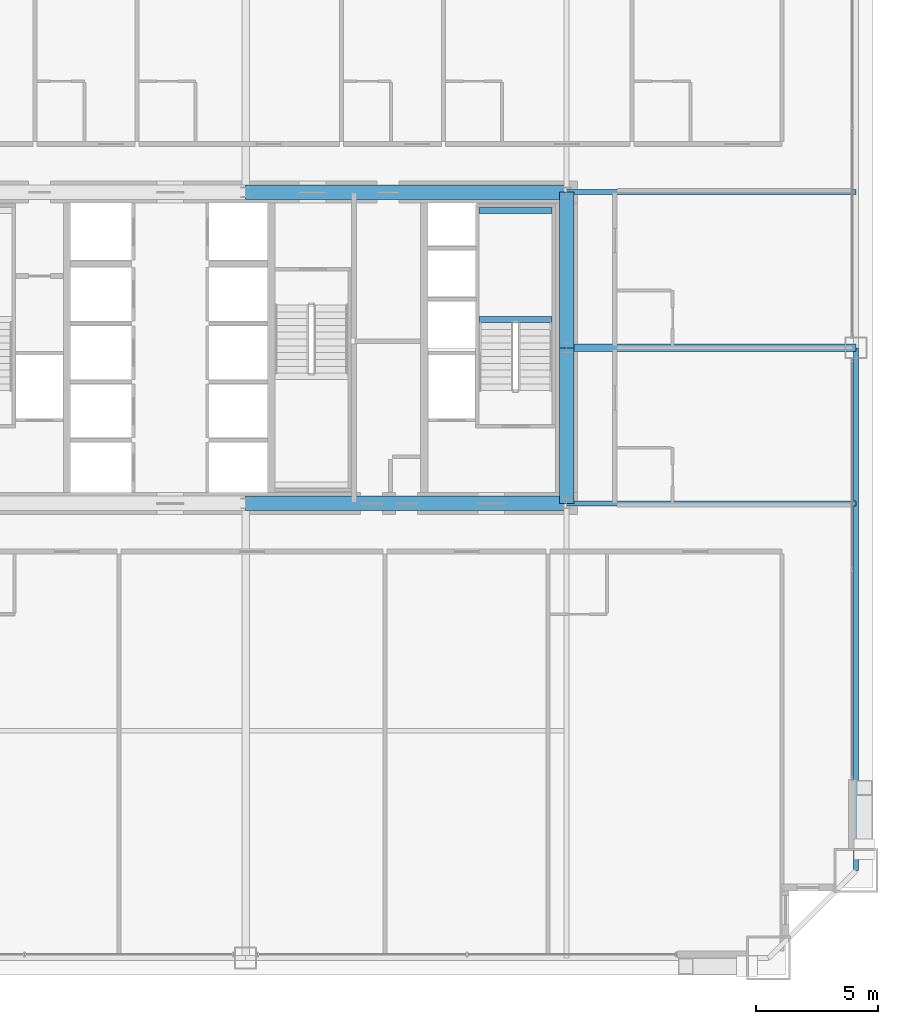
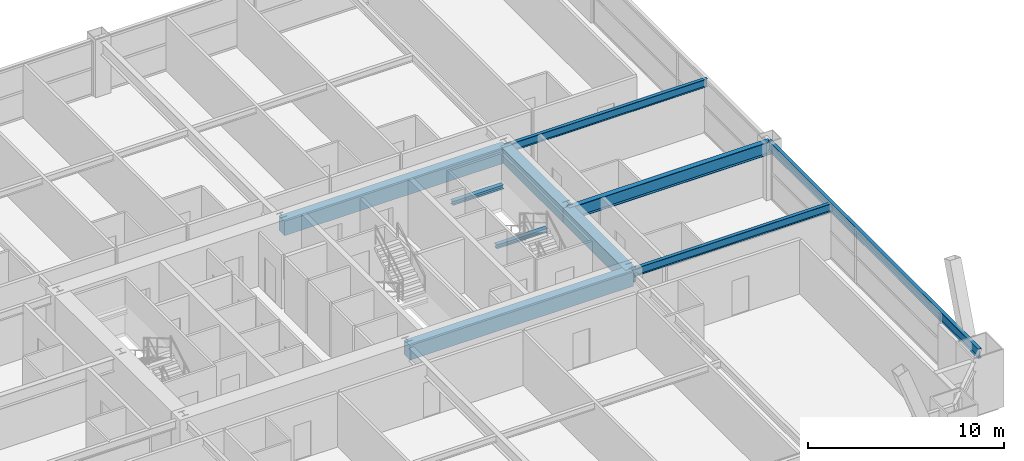
# One storey, part 18 of 43: 10 beams.
"""IFC4 building model written with IfcOpenShell, lengths in metres."""

import ifcopenshell
import ifcopenshell.guid

model = None  # the IFC model being written
_history = None  # IfcOwnerHistory: only IFC2X3 demands one
_inside = {}  # id of a spatial element -> (the spatial element, [elements in it])
_under = {}  # id of a project, library or spatial element -> (it, [spatial elements below it])
_declared = {}  # id of a project -> (the project, [libraries it declares])
_typed = {}  # id of a type object -> (the type object, [elements of that type])
_made_of = {}  # id of a material, layer set ... -> (it, [elements and type objects made of it])


def new_model(schema):
    """Start an empty IFC model of exactly this schema.

    Asked for "IFC4X3", IfcOpenShell would pick the latest addendum, in which some entities
    have other attributes; the version numbers below select the first issue.
    IFC2X3 requires an IfcOwnerHistory on every rooted entity: one is made here for all.
    """
    global model, _history
    if schema == "IFC4X3":
        model = ifcopenshell.file(schema_version=(4, 3, 0, 0))
    else:
        model = ifcopenshell.file(schema=schema)
    _inside.clear()
    _under.clear()
    _declared.clear()
    _typed.clear()
    _made_of.clear()
    _history = None
    if model.schema == "IFC2X3":
        org = make("IfcOrganization", Name="unknown")
        user = make(
            "IfcPersonAndOrganization",
            ThePerson=make("IfcPerson", FamilyName="unknown"),
            TheOrganization=org,
        )
        app = make(
            "IfcApplication",
            ApplicationDeveloper=org,
            Version="unknown",
            ApplicationFullName="unknown",
            ApplicationIdentifier="unknown",
        )
        _history = make(
            "IfcOwnerHistory",
            OwningUser=user,
            OwningApplication=app,
            ChangeAction="ADDED",
            CreationDate=0,
        )
    return model


def make(cls, **values):
    """One entity of the class cls with the attributes given. An attribute that is None is left unset."""
    return model.create_entity(
        cls, **{name: value for name, value in values.items() if value is not None}
    )


def rooted(cls, **values):
    """An entity with a GlobalId (a new one), such as an element, a storey or a relation."""
    return make(cls, GlobalId=ifcopenshell.guid.new(), OwnerHistory=_history, **values)


def si_unit(unit_type, name, prefix=None):
    """IfcSIUnit, for example si_unit("LENGTHUNIT", "METRE", prefix="MILLI")."""
    return make("IfcSIUnit", UnitType=unit_type, Prefix=prefix, Name=name)


def assignment(units):
    """IfcUnitAssignment: the units of a project."""
    return None if units is None else make("IfcUnitAssignment", Units=units)


def point(xyz):
    """IfcCartesianPoint."""
    return None if xyz is None else make("IfcCartesianPoint", Coordinates=xyz)


def direction(xyz):
    """IfcDirection."""
    return None if xyz is None else make("IfcDirection", DirectionRatios=xyz)


def frame(location, z_axis=None, x_axis=None):
    """IfcAxis2Placement3D, a coordinate frame: its origin and axes. An axis left out is left unset."""
    return make(
        "IfcAxis2Placement3D",
        Location=point(location),
        Axis=direction(z_axis),
        RefDirection=direction(x_axis),
    )


def frame_2d(location, x_axis=None):
    """IfcAxis2Placement2D, a coordinate frame in the plane: its origin and x axis."""
    return make(
        "IfcAxis2Placement2D", Location=point(location), RefDirection=direction(x_axis)
    )


def origin():
    """The frame at (0, 0, 0) with its axes left unset."""
    return frame((0.0, 0.0, 0.0))


def origin_2d():
    """The frame at (0, 0) in the plane with its x axis left unset."""
    return frame_2d((0.0, 0.0))


def place(relative_to, where):
    """IfcLocalPlacement: puts the frame where relative to a parent placement (None: the world)."""
    return make(
        "IfcLocalPlacement", PlacementRelTo=relative_to, RelativePlacement=where
    )


def context(
    kind, dimensions, precision=None, world=None, true_north=None, identifier=None
):
    """IfcGeometricRepresentationContext, for example the 3D "Model" context."""
    return make(
        "IfcGeometricRepresentationContext",
        ContextIdentifier=identifier,
        ContextType=kind,
        CoordinateSpaceDimension=dimensions,
        Precision=precision,
        WorldCoordinateSystem=world,
        TrueNorth=true_north,
    )


def subcontext(parent, identifier, kind, view, scale=None):
    """IfcGeometricRepresentationSubContext, for example "Body" below "Model"."""
    return make(
        "IfcGeometricRepresentationSubContext",
        ContextIdentifier=identifier,
        ContextType=kind,
        ParentContext=parent,
        TargetScale=scale,
        TargetView=view,
    )


def project(units=None, contexts=None):
    """IfcProject with its units and contexts."""
    return rooted(
        "IfcProject",
        Name="project",
        RepresentationContexts=contexts,
        UnitsInContext=assignment(units),
    )


def spatial(cls, under=None, at=None, **own):
    """A site, building, storey or space (cls), placed at a placement, below another one or the project."""
    s = rooted(cls, ObjectPlacement=at, **own)
    if under is not None:
        _under.setdefault(under.id(), (under, []))[1].append(s)
    return s


def profile(cls, at=None, kind="AREA", **sizes):
    """A parametric profile (cls). Its sizes go by their IFC names, for example OverallWidth=200.0."""
    return make(cls, ProfileType=kind, Position=at, **sizes)


def rectangle(**sizes):
    """IfcRectangleProfileDef."""
    return profile("IfcRectangleProfileDef", **sizes)


def i_section(**sizes):
    """IfcIShapeProfileDef."""
    return profile("IfcIShapeProfileDef", **sizes)


def extrude(swept, where, along, depth):
    """IfcExtrudedAreaSolid: the profile swept, set in the frame where, extruded along a direction by depth."""
    return make(
        "IfcExtrudedAreaSolid",
        SweptArea=swept,
        Position=where,
        ExtrudedDirection=direction(along),
        Depth=depth,
    )


def shape(context_of_items, identifier, shape_type, items):
    """IfcShapeRepresentation: the items that make up one representation, for example the "Body"."""
    return make(
        "IfcShapeRepresentation",
        ContextOfItems=context_of_items,
        RepresentationIdentifier=identifier,
        RepresentationType=shape_type,
        Items=items,
    )


def source(mapping_origin, context_of_items, identifier, shape_type, items):
    """IfcRepresentationMap: a shape defined once, which mapped items show again and again."""
    return make(
        "IfcRepresentationMap",
        MappingOrigin=mapping_origin,
        MappedRepresentation=shape(context_of_items, identifier, shape_type, items),
    )


def transform(
    local_origin,
    x_axis=None,
    y_axis=None,
    z_axis=None,
    scale=None,
    scale2=None,
    scale3=None,
    uniform=True,
):
    """IfcCartesianTransformationOperator3D, or its non-uniform kind. x_axis, y_axis, z_axis: its Axis1, 2, 3."""
    if uniform:
        return make(
            "IfcCartesianTransformationOperator3D",
            Axis1=direction(x_axis),
            Axis2=direction(y_axis),
            LocalOrigin=point(local_origin),
            Scale=scale,
            Axis3=direction(z_axis),
        )
    return make(
        "IfcCartesianTransformationOperator3DnonUniform",
        Axis1=direction(x_axis),
        Axis2=direction(y_axis),
        LocalOrigin=point(local_origin),
        Scale=scale,
        Axis3=direction(z_axis),
        Scale2=scale2,
        Scale3=scale3,
    )


def mapped(mapping_source, mapping_target):
    """IfcMappedItem: shows the shape of a source again, moved by a transform."""
    return make(
        "IfcMappedItem", MappingSource=mapping_source, MappingTarget=mapping_target
    )


def material(Name=None, Category=None):
    """IfcMaterial."""
    return make("IfcMaterial", Name=Name, Category=Category)


def material_profile(
    of_material, cross_section, Name=None, Category=None, Priority=None
):
    """IfcMaterialProfile: a cross section and its material."""
    return make(
        "IfcMaterialProfile",
        Name=Name,
        Material=of_material,
        Profile=cross_section,
        Priority=Priority,
        Category=Category,
    )


def profile_set(profiles, Name=None, composite=None):
    """IfcMaterialProfileSet."""
    return make(
        "IfcMaterialProfileSet",
        Name=Name,
        MaterialProfiles=profiles,
        CompositeProfile=composite,
    )


def made_of(thing, what):
    """Note that an element or type object is made of a material, layer set ...; save() writes the relation."""
    if what is not None:
        _made_of.setdefault(what.id(), (what, []))[1].append(thing)
    return thing


def type_object(cls, material=None, **own):
    """A type object (cls), such as IfcWallType, which elements share."""
    return made_of(rooted(cls, **own), material)


def element(
    cls,
    number,
    at=None,
    inside=None,
    cuts=None,
    type_object=None,
    material=None,
    context=None,
    identifier="Body",
    shape_type=None,
    held_by="IfcProductDefinitionShape",
    body=None,
    shapes=None,
    **own,
):
    """One element of the class cls, such as IfcWall. Its Tag is "e" and its number.

    at: its placement. inside: the storey or other place that contains it. cuts: it is an
    opening in that element (IfcRelVoidsElement). A single representation is given by context,
    identifier, shape_type and body (its items); several are given by shapes. held_by: the class
    of the entity that holds the representations. save() writes the other relations.
    """
    e = rooted(cls, Tag="e%d" % number, ObjectPlacement=at, **own)
    if body is not None:
        shapes = [shape(context, identifier, shape_type, body)]
    if shapes is not None:
        e.Representation = make(held_by, Representations=shapes)
    if inside is not None:
        _inside.setdefault(inside.id(), (inside, []))[1].append(e)
    if cuts is not None:
        rooted(
            "IfcRelVoidsElement", RelatingBuildingElement=cuts, RelatedOpeningElement=e
        )
    if type_object is not None:
        _typed.setdefault(type_object.id(), (type_object, []))[1].append(e)
    return made_of(e, material)


def aggregate(whole, parts):
    """IfcRelAggregates: a whole, such as a stair, and the parts it consists of."""
    return rooted("IfcRelAggregates", RelatingObject=whole, RelatedObjects=parts)


def save(model, path):
    """Write the relations noted so far, then the file.

    IfcRelAggregates (storeys below a building ...), IfcRelContainedInSpatialStructure (elements
    in a storey), IfcRelDefinesByType, IfcRelAssociatesMaterial and IfcRelDeclares: one each for
    every whole, place, type object, material and project.
    """
    for whole, parts in _under.values():
        aggregate(whole, parts)
    for where, things in _inside.values():
        rooted(
            "IfcRelContainedInSpatialStructure",
            RelatedElements=things,
            RelatingStructure=where,
        )
    for kind, things in _typed.values():
        rooted("IfcRelDefinesByType", RelatedObjects=things, RelatingType=kind)
    for what, things in _made_of.values():
        rooted("IfcRelAssociatesMaterial", RelatedObjects=things, RelatingMaterial=what)
    for by, libraries in _declared.values():
        rooted("IfcRelDeclares", RelatingContext=by, RelatedDefinitions=libraries)
    model.write(path)


model = new_model("IFC4")

# Units and contexts
model_context = context("Model", 3, precision=1e-05, world=origin(), true_north=direction((0.0, 1.0)))
body_context = subcontext(model_context, "Body", "Model", "MODEL_VIEW")
ifc_project = project(units=[si_unit("LENGTHUNIT", "METRE"), si_unit("AREAUNIT", "SQUARE_METRE"), si_unit("VOLUMEUNIT", "CUBIC_METRE"), si_unit("PLANEANGLEUNIT", "RADIAN"), si_unit("MASSUNIT", "GRAM", prefix="KILO"), si_unit("THERMODYNAMICTEMPERATUREUNIT", "KELVIN"), si_unit("POWERUNIT", "WATT")], contexts=[model_context])

# Site, building, storey
site_placement = place(None, origin())
site = spatial("IfcSite", under=ifc_project, at=site_placement, CompositionType="ELEMENT")
building_placement = place(site_placement, origin())
building = spatial("IfcBuilding", under=site, at=building_placement, Name="Yuzanri Waterfront Tower", CompositionType="ELEMENT")
storey_placement = place(building_placement, frame((0.0, 0.0, 46.0)))
storey = spatial("IfcBuildingStorey", under=building, at=storey_placement, Name="L11", CompositionType="ELEMENT", Elevation=46.0)

# Beams
ifc_material_1 = material(Name="Concrete C60", Category="concrete")
ifc_material_profile_1 = material_profile(ifc_material_1, rectangle(XDim=0.60009765625, YDim=0.89990234375, at=origin_2d()), Name="RC 600x900")
ifc_profile_set_1 = profile_set([ifc_material_profile_1], Name="Concrete C60")
beam_type_1 = type_object("IfcBeamType", Name="Core Coupling Lintel Concrete C60 600x900", PredefinedType="LINTEL", material=ifc_profile_set_1)
shared_shape_1 = source(origin(), body_context, "Body", "SweptSolid", [
    extrude(rectangle(XDim=0.60009765625, YDim=0.89990234375, at=origin_2d()), origin(), (0.0, 0.0, 1.0), 13.199951171875),
])
for number, where, z_axis, x_axis, name in (
    (1, (37.0, 19.39990234375, 2.929931640625), (1.0, 0.0, 0.0), (0.0, 1.0, 0.0), "L11 Core Tie Beam CS2"),
    (2, (37.0, 32.199951171875, 2.929931640625), (1.0, 0.0, 0.0), (0.0, 1.0, 0.0), "L11 Core Tie Beam CN2"),
):
    element("IfcBeam", number, at=place(storey_placement, frame(where, z_axis=z_axis, x_axis=x_axis)), inside=storey, type_object=beam_type_1, Name=name, PredefinedType="LINTEL", context=body_context, shape_type="MappedRepresentation", body=[
        mapped(shared_shape_1, transform((0.0, 0.0, 0.0), scale=1.0)),
    ])
shared_shape_2 = source(origin(), body_context, "Body", "SweptSolid", [
    extrude(rectangle(XDim=0.60009765625, YDim=0.89990234375, at=origin_2d()), origin(), (0.0, 0.0, 1.0), 6.400146484375),
])
beam_1_placement = place(storey_placement, frame((50.199951171875, 19.39990234375, 2.929931640625), z_axis=(0.0, 1.0, 0.0), x_axis=(-1.0, 0.0, 0.0)))
element("IfcBeam", 3, at=beam_1_placement, inside=storey, type_object=beam_type_1, Name="L11 Core Tie Beam CE1", PredefinedType="LINTEL", context=body_context, shape_type="MappedRepresentation", body=[
    mapped(shared_shape_2, transform((0.0, 0.0, 0.0), scale=1.0)),
])
shared_shape_3 = source(origin(), body_context, "Body", "SweptSolid", [
    extrude(rectangle(XDim=0.60009765625, YDim=0.89990234375, at=origin_2d()), origin(), (0.0, 0.0, 1.0), 6.39990234375),
])
beam_2_placement = place(storey_placement, frame((50.199951171875, 25.800048828125, 2.929931640625), z_axis=(0.0, 1.0, 0.0), x_axis=(-1.0, 0.0, 0.0)))
element("IfcBeam", 4, at=beam_2_placement, inside=storey, type_object=beam_type_1, Name="L11 Core Tie Beam CE2", PredefinedType="LINTEL", context=body_context, shape_type="MappedRepresentation", body=[
    mapped(shared_shape_3, transform((0.0, 0.0, 0.0), scale=1.0)),
])
ifc_material_2 = material(Name="Steel Q355B", Category="steel")
ifc_material_profile_2 = material_profile(ifc_material_2, i_section(OverallWidth=0.199951171875, OverallDepth=0.60009765625, WebThickness=0.010986328125, FlangeThickness=0.01708984375, at=origin_2d()), Name="HN 600x200x11x17")
ifc_profile_set_2 = profile_set([ifc_material_profile_2], Name="Steel Q355B")
beam_type_2 = type_object("IfcBeamType", Name="Perimeter Spandrel Q355B HN 600x200", PredefinedType="SPANDREL", material=ifc_profile_set_2)
shared_shape_4 = source(origin(), body_context, "Body", "SweptSolid", [
    extrude(i_section(OverallWidth=0.199951171875, OverallDepth=0.60009765625, WebThickness=0.010986328125, FlangeThickness=0.01708984375, at=origin_2d()), origin(), (0.0, 0.0, 1.0), 21.5),
])
beam_3_placement = place(storey_placement, frame((62.10009765625, 4.300048828125, 3.080078125), z_axis=(0.0, 1.0, 0.0), x_axis=(-1.0, 0.0, 0.0)))
element("IfcBeam", 5, at=beam_3_placement, inside=storey, type_object=beam_type_2, Name="L11 Perimeter Spandrel E1-E2", PredefinedType="SPANDREL", context=body_context, shape_type="MappedRepresentation", body=[
    mapped(shared_shape_4, transform((0.0, 0.0, 0.0), scale=1.0)),
])
ifc_material_3 = material(Name="Steel Q355B", Category="steel")
ifc_material_profile_3 = material_profile(ifc_material_3, i_section(OverallWidth=0.300048828125, OverallDepth=0.800048828125, WebThickness=0.013916015625, FlangeThickness=0.02587890625, at=origin_2d()), Name="HN 800x300x14x26")
ifc_profile_set_3 = profile_set([ifc_material_profile_3], Name="Steel Q355B")
beam_type_3 = type_object("IfcBeamType", Name="Primary Floor Girder Q355B HN 800x300", PredefinedType="BEAM", material=ifc_profile_set_3)
shared_shape_5 = source(origin(), body_context, "Body", "SweptSolid", [
    extrude(i_section(OverallWidth=0.300048828125, OverallDepth=0.800048828125, WebThickness=0.013916015625, FlangeThickness=0.02587890625, at=origin_2d()), origin(), (0.0, 0.0, 1.0), 11.900146484375),
])
beam_4_placement = place(storey_placement, frame((50.199951171875, 25.800048828125, 2.97998046875), z_axis=(1.0, 0.0, 0.0), x_axis=(0.0, 1.0, 0.0)))
element("IfcBeam", 6, at=beam_4_placement, inside=storey, type_object=beam_type_3, Name="L11 East Grid Girder", PredefinedType="BEAM", context=body_context, shape_type="MappedRepresentation", body=[
    mapped(shared_shape_5, transform((0.0, 0.0, 0.0), scale=1.0)),
])
ifc_material_4 = material(Name="Steel Q355B", Category="steel")
ifc_material_profile_4 = material_profile(ifc_material_4, i_section(OverallWidth=0.199951171875, OverallDepth=0.5, WebThickness=0.010009765625, FlangeThickness=0.01611328125, at=origin_2d()), Name="HN 500x200x10x16")
ifc_profile_set_4 = profile_set([ifc_material_profile_4], Name="Steel Q355B")
beam_type_4 = type_object("IfcBeamType", Name="Secondary Floor Beam Q355B HN 500x200", PredefinedType="BEAM", material=ifc_profile_set_4)
shared_shape_6 = source(origin(), body_context, "Body", "SweptSolid", [
    extrude(i_section(OverallWidth=0.199951171875, OverallDepth=0.5, WebThickness=0.010009765625, FlangeThickness=0.01611328125, at=origin_2d()), origin(), (0.0, 0.0, 1.0), 11.900146484375),
])
for number, where, z_axis, x_axis, name in (
    (7, (50.199951171875, 19.39990234375, 3.1298828125), (1.0, 0.0, 0.0), (0.0, 1.0, 0.0), "L11 East-South Core Line Beam"),
    (8, (50.199951171875, 32.199951171875, 3.1298828125), (1.0, 0.0, 0.0), (0.0, 1.0, 0.0), "L11 East-North Core Line Beam"),
):
    element("IfcBeam", number, at=place(storey_placement, frame(where, z_axis=z_axis, x_axis=x_axis)), inside=storey, type_object=beam_type_4, Name=name, PredefinedType="BEAM", context=body_context, shape_type="MappedRepresentation", body=[
        mapped(shared_shape_6, transform((0.0, 0.0, 0.0), scale=1.0)),
    ])
ifc_material_5 = material(Name="Steel Q355B", Category="steel")
ifc_material_profile_5 = material_profile(ifc_material_5, i_section(OverallWidth=0.25, OverallDepth=0.25, WebThickness=0.009033203125, FlangeThickness=0.013916015625, at=origin_2d()), Name="HW 250x250x9x14")
ifc_profile_set_5 = profile_set([ifc_material_profile_5], Name="Steel Q355B")
beam_type_5 = type_object("IfcBeamType", Name="Stair Landing Support Beam Q355B HW 250x250", PredefinedType="BEAM", material=ifc_profile_set_5)
shared_shape_7 = source(origin(), body_context, "Body", "SweptSolid", [
    extrude(i_section(OverallWidth=0.25, OverallDepth=0.25, WebThickness=0.009033203125, FlangeThickness=0.013916015625, at=origin_2d()), origin(), (0.0, 0.0, 1.0), 3.0),
])
for number, where, z_axis, x_axis, name in (
    (9, (46.60009765625, 26.969970703125, 1.47509765625), (1.0, 0.0, 0.0), (0.0, 1.0, 0.0), "L11 Stair Landing Support Beam ST-02-L11-L1-1"),
    (10, (46.60009765625, 31.449951171875, 1.47509765625), (1.0, 0.0, 0.0), (0.0, 1.0, 0.0), "L11 Stair Landing Support Beam ST-02-L11-L1-2"),
):
    element("IfcBeam", number, at=place(storey_placement, frame(where, z_axis=z_axis, x_axis=x_axis)), inside=storey, type_object=beam_type_5, Name=name, PredefinedType="BEAM", context=body_context, shape_type="MappedRepresentation", body=[
        mapped(shared_shape_7, transform((0.0, 0.0, 0.0), scale=1.0)),
    ])

save(model, "model.ifc")
